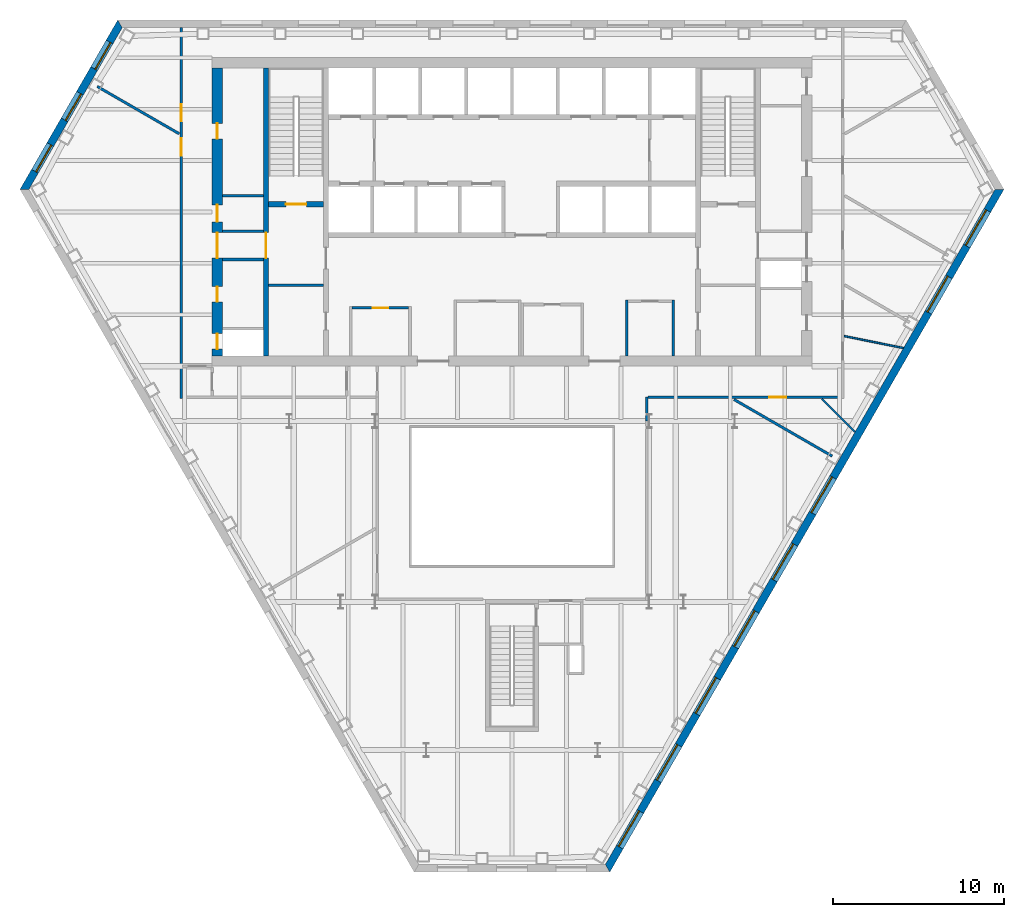
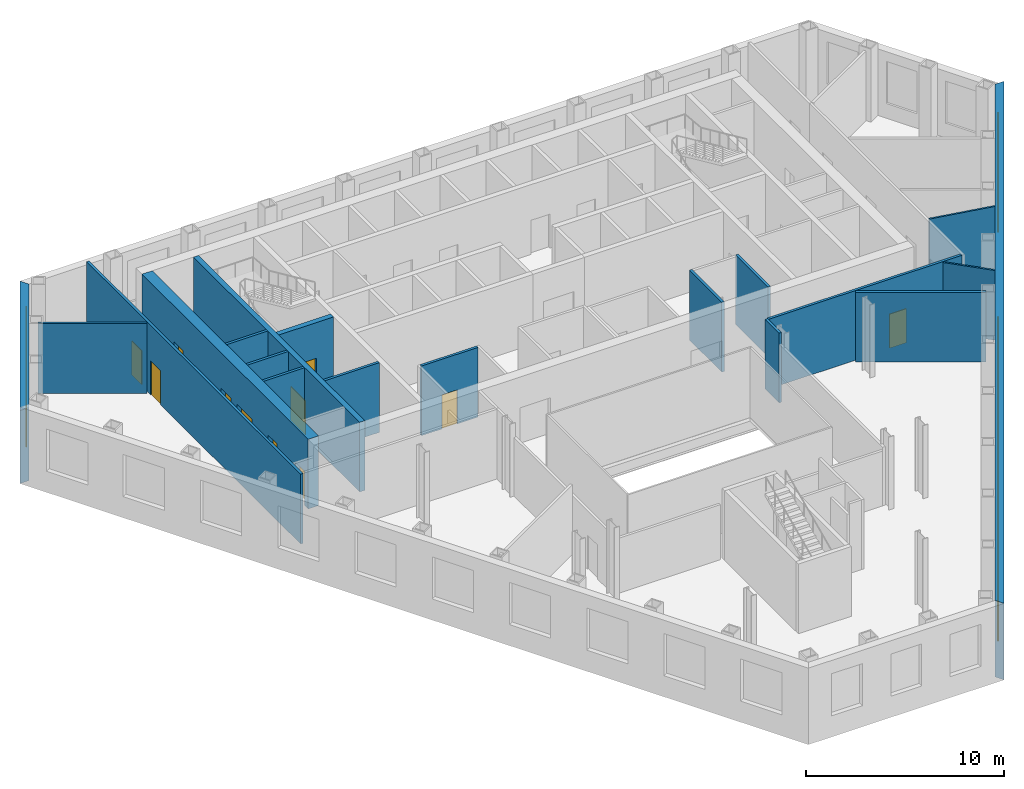
# One storey, part 5 of 10: 19 walls, 11 doors, 11 windows, 22 openings.
"""IFC4 building model written with IfcOpenShell, lengths in metres."""

from ifc_helpers import new_model, si_unit, direction, frame, frame_2d, origin, place, context, subcontext, project, spatial, polyline, rectangle, outline, extrude, material, layer, layer_set, type_object, element, fill, save


model = new_model("IFC4")

# Units and contexts
model_context = context("Model", 3, precision=1e-05, world=origin(), true_north=direction((0.0, 1.0)))
body_context = subcontext(model_context, "Body", "Model", "MODEL_VIEW")
ifc_project = project(units=[si_unit("LENGTHUNIT", "METRE"), si_unit("AREAUNIT", "SQUARE_METRE"), si_unit("VOLUMEUNIT", "CUBIC_METRE"), si_unit("PLANEANGLEUNIT", "RADIAN"), si_unit("MASSUNIT", "GRAM", prefix="KILO")], contexts=[model_context])

# Site, building, storey
site_placement = place(None, origin())
site = spatial("IfcSite", under=ifc_project, at=site_placement, CompositionType="ELEMENT")
building_placement = place(site_placement, origin())
building = spatial("IfcBuilding", under=site, at=building_placement, Name="Njiva Tower", CompositionType="ELEMENT")
storey_placement = place(building_placement, frame((0.0, 0.0, 55.8)))
storey = spatial("IfcBuildingStorey", under=building, at=storey_placement, Name="L11", CompositionType="ELEMENT", Elevation=55.8)

# Walls
ifc_material_1 = material(Name="Blockwork", Category="masonry")
ifc_layer_1 = layer(ifc_material_1, 0.15)
ifc_layer_set_1 = layer_set([ifc_layer_1], Name="Blockwork")
wall_type_1 = type_object("IfcWallType", Name="WT1 Compartment partition 150", PredefinedType="PARTITIONING", material=ifc_layer_set_1)
wall_1_placement = place(storey_placement, frame((-14.2, 4.725, 0.0), z_axis=(0.0, 0.0, 1.0), x_axis=(1.0, 0.0, 0.0)))
element("IfcWall", 1, at=wall_1_placement, inside=storey, type_object=wall_type_1, Name="Room wall A", PredefinedType="PARTITIONING", context=body_context, shape_type="SweptSolid", body=[
    extrude(rectangle(XDim=3.2, YDim=0.15, at=frame_2d((1.6, 0.0))), origin(), (0.0, 0.0, 1.0), 4.3),
])
wall_2_placement = place(storey_placement, frame((-16.9, 9.9575, 0.0), z_axis=(0.0, 0.0, 1.0), x_axis=(1.0, 0.0, 0.0)))
element("IfcWall", 2, at=wall_2_placement, inside=storey, type_object=wall_type_1, Name="Partition strip W10", PredefinedType="PARTITIONING", context=body_context, shape_type="SweptSolid", body=[
    extrude(rectangle(XDim=2.4, YDim=0.15, at=frame_2d((1.2, 0.0))), origin(), (0.0, 0.0, 1.0), 4.3),
])

# Wall, opening, door
wall_3_placement = place(storey_placement, frame((-9.325, 3.4, 0.0), z_axis=(0.0, 0.0, 1.0), x_axis=(1.0, 0.0, 0.0)))
wall_3 = element("IfcWall", 3, at=wall_3_placement, inside=storey, type_object=wall_type_1, Name="Waiting room wall north", PredefinedType="PARTITIONING", context=body_context, shape_type="SweptSolid", body=[
    extrude(rectangle(XDim=3.3, YDim=0.15, at=frame_2d((1.65, 0.0))), origin(), (0.0, 0.0, 1.0), 4.3),
])
opening_1_placement = place(wall_3_placement, frame((1.2, 0.0, 0.0)))
opening_1 = element("IfcOpeningElement", 4, at=opening_1_placement, cuts=wall_3, Name="Opening S03-D932", PredefinedType="OPENING", context=body_context, shape_type="SweptSolid", body=[
    extrude(rectangle(XDim=0.9, YDim=2.1, at=frame_2d((0.45, 1.05))), frame((0.0, 0.085, 0.0), z_axis=(0.0, -1.0, 0.0), x_axis=(1.0, 0.0, 0.0)), (0.0, 0.0, 1.0), 0.17),
])
ifc_material_2 = material(Name="Steel fire door, painted", Category="steel")
door_type_1 = type_object("IfcDoorType", Name="D6 Fire-rated door 900x2100", OperationType="SINGLE_SWING_LEFT", PredefinedType="DOOR", material=ifc_material_2)
door_1_placement = place(opening_1_placement, origin())
door_1 = element("IfcDoor", 5, at=door_1_placement, inside=storey, type_object=door_type_1, Name="Waiting room door", OperationType="SINGLE_SWING_RIGHT", OverallHeight=2.1, OverallWidth=0.9, PredefinedType="DOOR", context=body_context, shape_type="SweptSolid", body=[
    extrude(rectangle(XDim=0.9, YDim=2.1, at=frame_2d((0.45, 1.05))), frame((0.0, 0.025, 0.0), z_axis=(0.0, -1.0, 0.0), x_axis=(1.0, 0.0, 0.0)), (0.0, 0.0, 1.0), 0.05),
])
fill(opening_1, door_1)

# Walls
for number, where, z_axis, x_axis, name in (
    (6, (6.7, 0.6, 0.0), (0.0, 0.0, 1.0), (0.0, 1.0, 0.0), "Security office wall west"),
    (7, (9.4, 0.6, 0.0), (0.0, 0.0, 1.0), (0.0, 1.0, 0.0), "Security office wall east"),
):
    element("IfcWall", number, at=place(storey_placement, frame(where, z_axis=z_axis, x_axis=x_axis)), inside=storey, type_object=wall_type_1, Name=name, PredefinedType="PARTITIONING", context=body_context, shape_type="SweptSolid", body=[
        extrude(rectangle(XDim=3.275, YDim=0.15, at=frame_2d((1.6375, 0.0))), origin(), (0.0, 0.0, 1.0), 4.3),
    ])

# Wall, opening, door
ifc_material_3 = material(Name="Concrete C40/50", Category="concrete")
ifc_layer_2 = layer(ifc_material_3, 0.3)
ifc_layer_set_2 = layer_set([ifc_layer_2], Name="Concrete C40/50")
wall_type_2 = type_object("IfcWallType", Name="WT10 Stair enclosure wall 300", PredefinedType="SHEAR", material=ifc_layer_set_2)
wall_4_placement = place(storey_placement, frame((-14.35, 0.6, 0.0), z_axis=(0.0, 0.0, 1.0), x_axis=(0.0, 1.0, 0.0)))
wall_4 = element("IfcWall", 8, at=wall_4_placement, inside=storey, type_object=wall_type_2, Name="Stair wall west outer", PredefinedType="SHEAR", context=body_context, shape_type="SweptSolid", body=[
    extrude(rectangle(XDim=16.8, YDim=0.3, at=frame_2d((8.4, 0.0))), origin(), (0.0, 0.0, 1.0), 4.3),
])
opening_2_placement = place(wall_4_placement, frame((5.7, 0.0, 0.0)))
opening_2 = element("IfcOpeningElement", 9, at=opening_2_placement, cuts=wall_4, Name="Opening S03-D920", PredefinedType="OPENING", context=body_context, shape_type="SweptSolid", body=[
    extrude(rectangle(XDim=1.5, YDim=2.1, at=frame_2d((0.75, 1.05))), frame((0.0, 0.16, 0.0), z_axis=(0.0, -1.0, 0.0), x_axis=(1.0, 0.0, 0.0)), (0.0, 0.0, 1.0), 0.32),
])
ifc_material_4 = material(Name="Glazed steel fire door", Category="steel")
door_type_2 = type_object("IfcDoorType", Name="D10 Exit door double 1500x2100 glazed", OperationType="DOUBLE_DOOR_SINGLE_SWING", PredefinedType="DOOR", material=ifc_material_4)
door_2_placement = place(opening_2_placement, origin())
door_2 = element("IfcDoor", 10, at=door_2_placement, inside=storey, type_object=door_type_2, Name="Stair A passage door", OperationType="DOUBLE_DOOR_SINGLE_SWING", OverallHeight=2.1, OverallWidth=1.5, PredefinedType="DOOR", context=body_context, shape_type="SweptSolid", body=[
    extrude(rectangle(XDim=1.5, YDim=2.1, at=frame_2d((0.75, 1.05))), frame((0.0, 0.025, 0.0), z_axis=(0.0, -1.0, 0.0), x_axis=(1.0, 0.0, 0.0)), (0.0, 0.0, 1.0), 0.05),
])
fill(opening_2, door_2)

wall_5_placement = place(storey_placement, frame((-14.2, 9.45, 0.0), z_axis=(0.0, 0.0, 1.0), x_axis=(1.0, 0.0, 0.0)))
wall_5 = element("IfcWall", 11, at=wall_5_placement, inside=storey, type_object=wall_type_2, Name="Stair A south wall", PredefinedType="SHEAR", context=body_context, shape_type="SweptSolid", body=[
    extrude(rectangle(XDim=3.2, YDim=0.3, at=frame_2d((1.6, 0.0))), origin(), (0.0, 0.0, 1.0), 4.3),
])
opening_3_placement = place(wall_5_placement, frame((1.0, 0.0, 0.0)))
opening_3 = element("IfcOpeningElement", 12, at=opening_3_placement, cuts=wall_5, Name="Opening S03-D913", PredefinedType="OPENING", context=body_context, shape_type="SweptSolid", body=[
    extrude(rectangle(XDim=1.2, YDim=2.1, at=frame_2d((0.6, 1.05))), frame((0.0, 0.16, 0.0), z_axis=(0.0, -1.0, 0.0), x_axis=(1.0, 0.0, 0.0)), (0.0, 0.0, 1.0), 0.32),
])
door_type_3 = type_object("IfcDoorType", Name="D7 Stair vestibule door 1200x2100 glazed", OperationType="SINGLE_SWING_LEFT", PredefinedType="DOOR", material=ifc_material_4)
door_3_placement = place(opening_3_placement, origin())
door_3 = element("IfcDoor", 13, at=door_3_placement, inside=storey, type_object=door_type_3, Name="Stair A door", OperationType="SINGLE_SWING_LEFT", OverallHeight=2.1, OverallWidth=1.2, PredefinedType="DOOR", context=body_context, shape_type="SweptSolid", body=[
    extrude(rectangle(XDim=1.2, YDim=2.1, at=frame_2d((0.6, 1.05))), frame((0.0, 0.025, 0.0), z_axis=(0.0, -1.0, 0.0), x_axis=(1.0, 0.0, 0.0)), (0.0, 0.0, 1.0), 0.05),
])
fill(opening_3, door_3)

# Wall, openings, doors
ifc_material_5 = material(Name="Concrete C60/75", Category="concrete")
ifc_layer_3 = layer(ifc_material_5, 0.6)
ifc_layer_set_3 = layer_set([ifc_layer_3], Name="Concrete C60/75")
wall_type_3 = type_object("IfcWallType", Name="WT15 Core wall 600", PredefinedType="SHEAR", material=ifc_layer_set_3)
wall_6_placement = place(storey_placement, frame((-17.2, 0.6, 0.0), z_axis=(0.0, 0.0, 1.0), x_axis=(0.0, 1.0, 0.0)))
wall_6 = element("IfcWall", 14, at=wall_6_placement, inside=storey, type_object=wall_type_3, Name="Core wall west", PredefinedType="SHEAR", context=body_context, shape_type="SweptSolid", body=[
    extrude(rectangle(XDim=16.8, YDim=0.6, at=frame_2d((8.4, 0.0))), origin(), (0.0, 0.0, 1.0), 4.3),
])
opening_4_placement = place(wall_6_placement, frame((5.7, 0.0, 0.0)))
opening_4 = element("IfcOpeningElement", 15, at=opening_4_placement, cuts=wall_6, Name="Opening S03-D921", PredefinedType="OPENING", context=body_context, shape_type="SweptSolid", body=[
    extrude(rectangle(XDim=1.5, YDim=2.1, at=frame_2d((0.75, 1.05))), frame((0.0, 0.31, 0.0), z_axis=(0.0, -1.0, 0.0), x_axis=(1.0, 0.0, 0.0)), (0.0, 0.0, 1.0), 0.62),
])
opening_5_placement = place(wall_6_placement, frame((0.4, 0.0, 0.0)))
opening_5 = element("IfcOpeningElement", 16, at=opening_5_placement, cuts=wall_6, Name="Opening S03-D922", PredefinedType="OPENING", context=body_context, shape_type="SweptSolid", body=[
    extrude(rectangle(XDim=0.9, YDim=2.1, at=frame_2d((0.45, 1.05))), frame((0.0, 0.31, 0.0), z_axis=(0.0, -1.0, 0.0), x_axis=(1.0, 0.0, 0.0)), (0.0, 0.0, 1.0), 0.62),
])
opening_6_placement = place(wall_6_placement, frame((3.15, 0.0, 0.0)))
opening_6 = element("IfcOpeningElement", 17, at=opening_6_placement, cuts=wall_6, Name="Opening S03-D923", PredefinedType="OPENING", context=body_context, shape_type="SweptSolid", body=[
    extrude(rectangle(XDim=0.9, YDim=2.1, at=frame_2d((0.45, 1.05))), frame((0.0, 0.31, 0.0), z_axis=(0.0, -1.0, 0.0), x_axis=(1.0, 0.0, 0.0)), (0.0, 0.0, 1.0), 0.62),
])
opening_7_placement = place(wall_6_placement, frame((7.8162, 0.0, 0.0)))
opening_7 = element("IfcOpeningElement", 18, at=opening_7_placement, cuts=wall_6, Name="Opening S03-D924", PredefinedType="OPENING", context=body_context, shape_type="SweptSolid", body=[
    extrude(rectangle(XDim=1.0, YDim=2.1, at=frame_2d((0.5, 1.05))), frame((0.0, 0.31, 0.0), z_axis=(0.0, -1.0, 0.0), x_axis=(1.0, 0.0, 0.0)), (0.0, 0.0, 1.0), 0.62),
])
opening_8_placement = place(wall_6_placement, frame((12.6662, 0.0, 0.0)))
opening_8 = element("IfcOpeningElement", 19, at=opening_8_placement, cuts=wall_6, Name="Opening S03-D925", PredefinedType="OPENING", context=body_context, shape_type="SweptSolid", body=[
    extrude(rectangle(XDim=0.9, YDim=2.1, at=frame_2d((0.45, 1.05))), frame((0.0, 0.31, 0.0), z_axis=(0.0, -1.0, 0.0), x_axis=(1.0, 0.0, 0.0)), (0.0, 0.0, 1.0), 0.62),
])
door_4_placement = place(opening_4_placement, origin())
door_4 = element("IfcDoor", 20, at=door_4_placement, inside=storey, type_object=door_type_2, Name="Stair A corridor door", OperationType="DOUBLE_DOOR_SINGLE_SWING", OverallHeight=2.1, OverallWidth=1.5, PredefinedType="DOOR", context=body_context, shape_type="SweptSolid", body=[
    extrude(rectangle(XDim=1.5, YDim=2.1, at=frame_2d((0.75, 1.05))), frame((0.0, 0.025, 0.0), z_axis=(0.0, -1.0, 0.0), x_axis=(1.0, 0.0, 0.0)), (0.0, 0.0, 1.0), 0.05),
])
fill(opening_4, door_4)
ifc_material_6 = material(Name="Steel door, painted", Category="steel")
door_type_4 = type_object("IfcDoorType", Name="D4 Riser door 900x2100", OperationType="SINGLE_SWING_LEFT", PredefinedType="DOOR", material=ifc_material_6)
door_5_placement = place(opening_5_placement, origin())
door_5 = element("IfcDoor", 21, at=door_5_placement, inside=storey, type_object=door_type_4, Name="Riser door", OperationType="SINGLE_SWING_RIGHT", OverallHeight=2.1, OverallWidth=0.9, PredefinedType="DOOR", context=body_context, shape_type="SweptSolid", body=[
    extrude(rectangle(XDim=0.9, YDim=2.1, at=frame_2d((0.45, 1.05))), frame((0.0, 0.025, 0.0), z_axis=(0.0, -1.0, 0.0), x_axis=(1.0, 0.0, 0.0)), (0.0, 0.0, 1.0), 0.05),
])
fill(opening_5, door_5)
door_type_5 = type_object("IfcDoorType", Name="D5 Steel door 1000x2100", OperationType="SINGLE_SWING_LEFT", PredefinedType="DOOR", material=ifc_material_6)
door_6_placement = place(opening_7_placement, origin())
door_6 = element("IfcDoor", 22, at=door_6_placement, inside=storey, type_object=door_type_5, Name="Electrical room door", OperationType="SINGLE_SWING_LEFT", OverallHeight=2.1, OverallWidth=1.0, PredefinedType="DOOR", context=body_context, shape_type="SweptSolid", body=[
    extrude(rectangle(XDim=1.0, YDim=2.1, at=frame_2d((0.5, 1.05))), frame((0.0, 0.025, 0.0), z_axis=(0.0, -1.0, 0.0), x_axis=(1.0, 0.0, 0.0)), (0.0, 0.0, 1.0), 0.05),
])
fill(opening_7, door_6)
door_7_placement = place(opening_6_placement, origin())
door_7 = element("IfcDoor", 23, at=door_7_placement, inside=storey, type_object=door_type_1, Name="First aid room door", OperationType="SINGLE_SWING_LEFT", OverallHeight=2.1, OverallWidth=0.9, PredefinedType="DOOR", context=body_context, shape_type="SweptSolid", body=[
    extrude(rectangle(XDim=0.9, YDim=2.1, at=frame_2d((0.45, 1.05))), frame((0.0, 0.025, 0.0), z_axis=(0.0, -1.0, 0.0), x_axis=(1.0, 0.0, 0.0)), (0.0, 0.0, 1.0), 0.05),
])
fill(opening_6, door_7)
door_8_placement = place(opening_8_placement, origin())
door_8 = element("IfcDoor", 24, at=door_8_placement, inside=storey, type_object=door_type_1, Name="Breakout room door", OperationType="SINGLE_SWING_RIGHT", OverallHeight=2.1, OverallWidth=0.9, PredefinedType="DOOR", context=body_context, shape_type="SweptSolid", body=[
    extrude(rectangle(XDim=0.9, YDim=2.1, at=frame_2d((0.45, 1.05))), frame((0.0, 0.025, 0.0), z_axis=(0.0, -1.0, 0.0), x_axis=(1.0, 0.0, 0.0)), (0.0, 0.0, 1.0), 0.05),
])
fill(opening_8, door_8)

# Walls
ifc_material_7 = material(Name="Gypsum board on steel studs", Category="gypsum")
ifc_layer_4 = layer(ifc_material_7, 0.1)
ifc_layer_set_4 = layer_set([ifc_layer_4], Name="Gypsum board on steel studs")
wall_type_4 = type_object("IfcWallType", Name="WT20 Gypsum partition 100", PredefinedType="PARTITIONING", material=ifc_layer_set_4)
wall_7_placement = place(storey_placement, frame((18.088, -1.91, 0.0), z_axis=(0.0, 0.0, 1.0), x_axis=(0.707106781187, -0.707106781187, 0.0)))
element("IfcWall", 25, at=wall_7_placement, inside=storey, type_object=wall_type_4, Name="Partition S03-P015", PredefinedType="PARTITIONING", context=body_context, shape_type="SweptSolid", body=[
    extrude(rectangle(XDim=2.7224, YDim=0.1, at=frame_2d((1.3612, 0.0))), origin(), (0.0, 0.0, 1.0), 4.3),
])
wall_8_placement = place(storey_placement, frame((19.385, 1.757, 0.0), z_axis=(0.0, 0.0, 1.0), x_axis=(0.980240840704, -0.197807720316, 0.0)))
element("IfcWall", 26, at=wall_8_placement, inside=storey, type_object=wall_type_4, Name="Partition S03-P018", PredefinedType="PARTITIONING", context=body_context, shape_type="SweptSolid", body=[
    extrude(rectangle(XDim=3.5236, YDim=0.1, at=frame_2d((1.7618, 0.0))), origin(), (0.0, 0.0, 1.0), 4.3),
])
ifc_layer_5 = layer(ifc_material_7, 0.15)
ifc_layer_set_5 = layer_set([ifc_layer_5], Name="Gypsum board on steel studs")
wall_type_5 = type_object("IfcWallType", Name="WT21 Compartment wall 150", PredefinedType="PARTITIONING", material=ifc_layer_set_5)
wall_9_placement = place(storey_placement, frame((-24.199, 16.323, 0.0), z_axis=(0.0, 0.0, 1.0), x_axis=(0.866086170813, -0.499894733645, 0.0)))
element("IfcWall", 27, at=wall_9_placement, inside=storey, type_object=wall_type_5, Name="Partition S03-P001", PredefinedType="PARTITIONING", context=body_context, shape_type="SweptSolid", body=[
    extrude(rectangle(XDim=5.5272, YDim=0.15, at=frame_2d((2.7636, 0.0))), origin(), (0.0, 0.0, 1.0), 4.3),
])

# Wall, openings, doors
wall_10_placement = place(storey_placement, frame((-19.3, -1.875, 0.0), z_axis=(0.0, 0.0, 1.0), x_axis=(0.0, 1.0, 0.0)))
wall_10 = element("IfcWall", 28, at=wall_10_placement, inside=storey, type_object=wall_type_5, Name="Partition S03-P002", PredefinedType="PARTITIONING", context=body_context, shape_type="SweptSolid", body=[
    extrude(rectangle(XDim=21.624, YDim=0.15, at=frame_2d((10.812, 0.0))), origin(), (0.0, 0.0, 1.0), 4.3),
])
opening_9_placement = place(wall_10_placement, frame((14.166, 0.0, 0.0)))
opening_9 = element("IfcOpeningElement", 29, at=opening_9_placement, cuts=wall_10, Name="Opening S03-D001", PredefinedType="OPENING", context=body_context, shape_type="SweptSolid", body=[
    extrude(rectangle(XDim=1.0, YDim=2.1, at=frame_2d((0.5, 1.05))), frame((0.0, 0.085, 0.0), z_axis=(0.0, -1.0, 0.0), x_axis=(1.0, 0.0, 0.0)), (0.0, 0.0, 1.0), 0.17),
])
opening_10_placement = place(wall_10_placement, frame((16.17, 0.0, 0.0)))
opening_10 = element("IfcOpeningElement", 30, at=opening_10_placement, cuts=wall_10, Name="Opening S03-D002", PredefinedType="OPENING", context=body_context, shape_type="SweptSolid", body=[
    extrude(rectangle(XDim=1.0, YDim=2.1, at=frame_2d((0.5, 1.05))), frame((0.0, 0.085, 0.0), z_axis=(0.0, -1.0, 0.0), x_axis=(1.0, 0.0, 0.0)), (0.0, 0.0, 1.0), 0.17),
])
ifc_material_8 = material(Name="Steel fire door set", Category="steel")
door_type_6 = type_object("IfcDoorType", Name="D37 Fire door 1000x2100", OperationType="SINGLE_SWING_LEFT", PredefinedType="DOOR", material=ifc_material_8)
door_9_placement = place(opening_9_placement, origin())
door_9 = element("IfcDoor", 31, at=door_9_placement, inside=storey, type_object=door_type_6, Name="Door S03-D001", OperationType="SINGLE_SWING_LEFT", OverallHeight=2.1, OverallWidth=1.0, PredefinedType="DOOR", context=body_context, shape_type="SweptSolid", body=[
    extrude(rectangle(XDim=1.0, YDim=2.1, at=frame_2d((0.5, 1.05))), frame((0.0, 0.025, 0.0), z_axis=(0.0, -1.0, 0.0), x_axis=(1.0, 0.0, 0.0)), (0.0, 0.0, 1.0), 0.05),
])
fill(opening_9, door_9)
door_10_placement = place(opening_10_placement, origin())
door_10 = element("IfcDoor", 32, at=door_10_placement, inside=storey, type_object=door_type_6, Name="Door S03-D002", OperationType="SINGLE_SWING_LEFT", OverallHeight=2.1, OverallWidth=1.0, PredefinedType="DOOR", context=body_context, shape_type="SweptSolid", body=[
    extrude(rectangle(XDim=1.0, YDim=2.1, at=frame_2d((0.5, 1.05))), frame((0.0, 0.025, 0.0), z_axis=(0.0, -1.0, 0.0), x_axis=(1.0, 0.0, 0.0)), (0.0, 0.0, 1.0), 0.05),
])
fill(opening_10, door_10)

# Wall
wall_11_placement = place(storey_placement, frame((7.85, -3.2, 0.0), z_axis=(0.0, 0.0, 1.0), x_axis=(0.0, 1.0, 0.0)))
element("IfcWall", 33, at=wall_11_placement, inside=storey, type_object=wall_type_5, Name="Partition S03-P012A", PredefinedType="PARTITIONING", context=body_context, shape_type="SweptSolid", body=[
    extrude(rectangle(XDim=1.412, YDim=0.15, at=frame_2d((0.706, 0.0))), origin(), (0.0, 0.0, 1.0), 4.3),
])

# Wall, opening, door
wall_12_placement = place(storey_placement, frame((7.925, -1.8, 0.0), z_axis=(0.0, 0.0, 1.0), x_axis=(1.0, 0.0, 0.0)))
wall_12 = element("IfcWall", 34, at=wall_12_placement, inside=storey, type_object=wall_type_5, Name="Partition S03-P013", PredefinedType="PARTITIONING", context=body_context, shape_type="SweptSolid", body=[
    extrude(rectangle(XDim=11.3, YDim=0.15, at=frame_2d((5.65, 0.0))), origin(), (0.0, 0.0, 1.0), 4.3),
])
opening_11_placement = place(wall_12_placement, frame((7.087, 0.0, 0.0)))
opening_11 = element("IfcOpeningElement", 35, at=opening_11_placement, cuts=wall_12, Name="Opening S03-D008", PredefinedType="OPENING", context=body_context, shape_type="SweptSolid", body=[
    extrude(rectangle(XDim=1.0, YDim=2.1, at=frame_2d((0.5, 1.05))), frame((0.0, 0.085, 0.0), z_axis=(0.0, -1.0, 0.0), x_axis=(1.0, 0.0, 0.0)), (0.0, 0.0, 1.0), 0.17),
])
door_11_placement = place(opening_11_placement, origin())
door_11 = element("IfcDoor", 36, at=door_11_placement, inside=storey, type_object=door_type_6, Name="Door S03-D008", OperationType="SINGLE_SWING_RIGHT", OverallHeight=2.1, OverallWidth=1.0, PredefinedType="DOOR", context=body_context, shape_type="SweptSolid", body=[
    extrude(rectangle(XDim=1.0, YDim=2.1, at=frame_2d((0.5, 1.05))), frame((0.0, 0.025, 0.0), z_axis=(0.0, -1.0, 0.0), x_axis=(1.0, 0.0, 0.0)), (0.0, 0.0, 1.0), 0.05),
])
fill(opening_11, door_11)

# Walls
wall_13_placement = place(storey_placement, frame((12.953, -1.94, 0.0), z_axis=(0.0, 0.0, 1.0), x_axis=(0.86605716012, -0.499944992379, 0.0)))
element("IfcWall", 37, at=wall_13_placement, inside=storey, type_object=wall_type_5, Name="Partition S03-P014", PredefinedType="PARTITIONING", context=body_context, shape_type="SweptSolid", body=[
    extrude(rectangle(XDim=6.6127, YDim=0.15, at=frame_2d((3.3064, 0.0))), origin(), (0.0, 0.0, 1.0), 4.3),
])
ifc_layer_6 = layer(ifc_material_1, 0.15)
ifc_layer_set_6 = layer_set([ifc_layer_6], Name="Blockwork")
wall_type_6 = type_object("IfcWallType", Name="WT4 Stair partition 150", PredefinedType="PARTITIONING", material=ifc_layer_set_6)
for number, where, z_axis, x_axis, name in (
    (38, (-16.9, 6.225, 0.0), (0.0, 0.0, 1.0), (1.0, 0.0, 0.0), "Stair A exit passage wall south"),
    (39, (-16.9, 7.875, 0.0), (0.0, 0.0, 1.0), (1.0, 0.0, 0.0), "Stair A exit passage wall north"),
):
    element("IfcWall", number, at=place(storey_placement, frame(where, z_axis=z_axis, x_axis=x_axis)), inside=storey, type_object=wall_type_6, Name=name, PredefinedType="PARTITIONING", context=body_context, shape_type="SweptSolid", body=[
        extrude(rectangle(XDim=2.4, YDim=0.15, at=frame_2d((1.2, 0.0))), origin(), (0.0, 0.0, 1.0), 4.3),
    ])

# Wall, openings, windows
ifc_material_9 = material(Name="Brick masonry", Category="masonry")
ifc_layer_7 = layer(ifc_material_9, 0.45)
ifc_layer_set_7 = layer_set([ifc_layer_7], Name="Brick masonry")
wall_type_7 = type_object("IfcWallType", Name="WT90 Brick pier and spandrel wall 450", PredefinedType="SOLIDWALL", material=ifc_layer_set_7)
wall_14_placement = place(storey_placement, frame((5.5751, -29.2935, -0.4), z_axis=(0.0, 0.0, 1.0), x_axis=(0.499999764979, 0.866025539474, 0.0)))
wall_14 = element("IfcWall", 40, at=wall_14_placement, inside=storey, type_object=wall_type_7, Name="Facade wall SE", PredefinedType="SOLIDWALL", context=body_context, shape_type="SweptSolid", body=[
    extrude(outline(polyline([(-0.1299, -0.225), (45.8701, -0.225), (45.6103, 0.225), (0.1299, 0.225), (-0.1299, -0.225)])), origin(), (0.0, 0.0, 1.0), 4.72),
])
opening_12_placement = place(wall_14_placement, frame((1.4242, 0.0, 1.3)))
opening_12 = element("IfcOpeningElement", 41, at=opening_12_placement, cuts=wall_14, Name="Opening S03-W25", PredefinedType="OPENING", context=body_context, shape_type="SweptSolid", body=[
    extrude(rectangle(XDim=2.4, YDim=2.6, at=frame_2d((1.2, 1.3))), frame((0.0, 0.235, 0.0), z_axis=(0.0, -1.0, 0.0), x_axis=(1.0, 0.0, 0.0)), (0.0, 0.0, 1.0), 0.47),
])
opening_13_placement = place(wall_14_placement, frame((5.8934, 0.0, 1.3)))
opening_13 = element("IfcOpeningElement", 42, at=opening_13_placement, cuts=wall_14, Name="Opening S03-W26", PredefinedType="OPENING", context=body_context, shape_type="SweptSolid", body=[
    extrude(rectangle(XDim=2.4, YDim=2.6, at=frame_2d((1.2, 1.3))), frame((0.0, 0.235, 0.0), z_axis=(0.0, -1.0, 0.0), x_axis=(1.0, 0.0, 0.0)), (0.0, 0.0, 1.0), 0.47),
])
opening_14_placement = place(wall_14_placement, frame((10.401, 0.0, 1.3)))
opening_14 = element("IfcOpeningElement", 43, at=opening_14_placement, cuts=wall_14, Name="Opening S03-W27", PredefinedType="OPENING", context=body_context, shape_type="SweptSolid", body=[
    extrude(rectangle(XDim=2.4, YDim=2.6, at=frame_2d((1.2, 1.3))), frame((0.0, 0.235, 0.0), z_axis=(0.0, -1.0, 0.0), x_axis=(1.0, 0.0, 0.0)), (0.0, 0.0, 1.0), 0.47),
])
opening_15_placement = place(wall_14_placement, frame((14.9087, 0.0, 1.3)))
opening_15 = element("IfcOpeningElement", 44, at=opening_15_placement, cuts=wall_14, Name="Opening S03-W28", PredefinedType="OPENING", context=body_context, shape_type="SweptSolid", body=[
    extrude(rectangle(XDim=2.4, YDim=2.6, at=frame_2d((1.2, 1.3))), frame((0.0, 0.235, 0.0), z_axis=(0.0, -1.0, 0.0), x_axis=(1.0, 0.0, 0.0)), (0.0, 0.0, 1.0), 0.47),
])
opening_16_placement = place(wall_14_placement, frame((19.4163, 0.0, 1.3)))
opening_16 = element("IfcOpeningElement", 45, at=opening_16_placement, cuts=wall_14, Name="Opening S03-W29", PredefinedType="OPENING", context=body_context, shape_type="SweptSolid", body=[
    extrude(rectangle(XDim=2.4, YDim=2.6, at=frame_2d((1.2, 1.3))), frame((0.0, 0.235, 0.0), z_axis=(0.0, -1.0, 0.0), x_axis=(1.0, 0.0, 0.0)), (0.0, 0.0, 1.0), 0.47),
])
opening_17_placement = place(wall_14_placement, frame((23.9239, 0.0, 1.3)))
opening_17 = element("IfcOpeningElement", 46, at=opening_17_placement, cuts=wall_14, Name="Opening S03-W30", PredefinedType="OPENING", context=body_context, shape_type="SweptSolid", body=[
    extrude(rectangle(XDim=2.4, YDim=2.6, at=frame_2d((1.2, 1.3))), frame((0.0, 0.235, 0.0), z_axis=(0.0, -1.0, 0.0), x_axis=(1.0, 0.0, 0.0)), (0.0, 0.0, 1.0), 0.47),
])
opening_18_placement = place(wall_14_placement, frame((37.4468, 0.0, 1.3)))
opening_18 = element("IfcOpeningElement", 47, at=opening_18_placement, cuts=wall_14, Name="Opening S03-W31", PredefinedType="OPENING", context=body_context, shape_type="SweptSolid", body=[
    extrude(rectangle(XDim=2.4, YDim=2.6, at=frame_2d((1.2, 1.3))), frame((0.0, 0.235, 0.0), z_axis=(0.0, -1.0, 0.0), x_axis=(1.0, 0.0, 0.0)), (0.0, 0.0, 1.0), 0.47),
])
opening_19_placement = place(wall_14_placement, frame((41.916, 0.0, 1.3)))
opening_19 = element("IfcOpeningElement", 48, at=opening_19_placement, cuts=wall_14, Name="Opening S03-W32", PredefinedType="OPENING", context=body_context, shape_type="SweptSolid", body=[
    extrude(rectangle(XDim=2.4, YDim=2.6, at=frame_2d((1.2, 1.3))), frame((0.0, 0.235, 0.0), z_axis=(0.0, -1.0, 0.0), x_axis=(1.0, 0.0, 0.0)), (0.0, 0.0, 1.0), 0.47),
])
ifc_material_10 = material(Name="Clear glazing in aluminium frame", Category="aluminium")
window_type_1 = type_object("IfcWindowType", Name="W92 Deep-set window 2400x2600", PartitioningType="SINGLE_PANEL", PredefinedType="WINDOW", material=ifc_material_10)
window_1_placement = place(opening_12_placement, origin())
window_1 = element("IfcWindow", 49, at=window_1_placement, inside=storey, type_object=window_type_1, Name="Window", OverallHeight=2.6, OverallWidth=2.4, PartitioningType="SINGLE_PANEL", PredefinedType="WINDOW", context=body_context, shape_type="SweptSolid", body=[
    extrude(rectangle(XDim=2.4, YDim=2.6, at=frame_2d((1.2, 1.3))), frame((0.0, 0.105, 0.0), z_axis=(0.0, -1.0, 0.0), x_axis=(1.0, 0.0, 0.0)), (0.0, 0.0, 1.0), 0.06),
])
fill(opening_12, window_1)
window_2_placement = place(opening_13_placement, origin())
window_2 = element("IfcWindow", 50, at=window_2_placement, inside=storey, type_object=window_type_1, Name="Window", OverallHeight=2.6, OverallWidth=2.4, PartitioningType="SINGLE_PANEL", PredefinedType="WINDOW", context=body_context, shape_type="SweptSolid", body=[
    extrude(rectangle(XDim=2.4, YDim=2.6, at=frame_2d((1.2, 1.3))), frame((0.0, 0.105, 0.0), z_axis=(0.0, -1.0, 0.0), x_axis=(1.0, 0.0, 0.0)), (0.0, 0.0, 1.0), 0.06),
])
fill(opening_13, window_2)
window_3_placement = place(opening_14_placement, origin())
window_3 = element("IfcWindow", 51, at=window_3_placement, inside=storey, type_object=window_type_1, Name="Window", OverallHeight=2.6, OverallWidth=2.4, PartitioningType="SINGLE_PANEL", PredefinedType="WINDOW", context=body_context, shape_type="SweptSolid", body=[
    extrude(rectangle(XDim=2.4, YDim=2.6, at=frame_2d((1.2, 1.3))), frame((0.0, 0.105, 0.0), z_axis=(0.0, -1.0, 0.0), x_axis=(1.0, 0.0, 0.0)), (0.0, 0.0, 1.0), 0.06),
])
fill(opening_14, window_3)
window_4_placement = place(opening_15_placement, origin())
window_4 = element("IfcWindow", 52, at=window_4_placement, inside=storey, type_object=window_type_1, Name="Window", OverallHeight=2.6, OverallWidth=2.4, PartitioningType="SINGLE_PANEL", PredefinedType="WINDOW", context=body_context, shape_type="SweptSolid", body=[
    extrude(rectangle(XDim=2.4, YDim=2.6, at=frame_2d((1.2, 1.3))), frame((0.0, 0.105, 0.0), z_axis=(0.0, -1.0, 0.0), x_axis=(1.0, 0.0, 0.0)), (0.0, 0.0, 1.0), 0.06),
])
fill(opening_15, window_4)
window_5_placement = place(opening_16_placement, origin())
window_5 = element("IfcWindow", 53, at=window_5_placement, inside=storey, type_object=window_type_1, Name="Window", OverallHeight=2.6, OverallWidth=2.4, PartitioningType="SINGLE_PANEL", PredefinedType="WINDOW", context=body_context, shape_type="SweptSolid", body=[
    extrude(rectangle(XDim=2.4, YDim=2.6, at=frame_2d((1.2, 1.3))), frame((0.0, 0.105, 0.0), z_axis=(0.0, -1.0, 0.0), x_axis=(1.0, 0.0, 0.0)), (0.0, 0.0, 1.0), 0.06),
])
fill(opening_16, window_5)
window_6_placement = place(opening_17_placement, origin())
window_6 = element("IfcWindow", 54, at=window_6_placement, inside=storey, type_object=window_type_1, Name="Window", OverallHeight=2.6, OverallWidth=2.4, PartitioningType="SINGLE_PANEL", PredefinedType="WINDOW", context=body_context, shape_type="SweptSolid", body=[
    extrude(rectangle(XDim=2.4, YDim=2.6, at=frame_2d((1.2, 1.3))), frame((0.0, 0.105, 0.0), z_axis=(0.0, -1.0, 0.0), x_axis=(1.0, 0.0, 0.0)), (0.0, 0.0, 1.0), 0.06),
])
fill(opening_17, window_6)
window_7_placement = place(opening_18_placement, origin())
window_7 = element("IfcWindow", 55, at=window_7_placement, inside=storey, type_object=window_type_1, Name="Window", OverallHeight=2.6, OverallWidth=2.4, PartitioningType="SINGLE_PANEL", PredefinedType="WINDOW", context=body_context, shape_type="SweptSolid", body=[
    extrude(rectangle(XDim=2.4, YDim=2.6, at=frame_2d((1.2, 1.3))), frame((0.0, 0.105, 0.0), z_axis=(0.0, -1.0, 0.0), x_axis=(1.0, 0.0, 0.0)), (0.0, 0.0, 1.0), 0.06),
])
fill(opening_18, window_7)
window_8_placement = place(opening_19_placement, origin())
window_8 = element("IfcWindow", 56, at=window_8_placement, inside=storey, type_object=window_type_1, Name="Window", OverallHeight=2.6, OverallWidth=2.4, PartitioningType="SINGLE_PANEL", PredefinedType="WINDOW", context=body_context, shape_type="SweptSolid", body=[
    extrude(rectangle(XDim=2.4, YDim=2.6, at=frame_2d((1.2, 1.3))), frame((0.0, 0.105, 0.0), z_axis=(0.0, -1.0, 0.0), x_axis=(1.0, 0.0, 0.0)), (0.0, 0.0, 1.0), 0.06),
])
fill(opening_19, window_8)

ifc_material_11 = material(Name="Brick masonry, buff", Category="masonry")
ifc_layer_8 = layer(ifc_material_11, 0.45)
ifc_layer_set_8 = layer_set([ifc_layer_8], Name="Brick masonry, buff")
wall_type_8 = type_object("IfcWallType", Name="WT94 Brick pier and spandrel wall 450, buff", PredefinedType="SOLIDWALL", material=ifc_layer_set_8)
wall_15_placement = place(storey_placement, frame((-22.8701, 19.975, -0.4), z_axis=(0.0, 0.0, 1.0), x_axis=(-0.500002192499, -0.866024137941, 0.0)))
wall_15 = element("IfcWall", 57, at=wall_15_placement, inside=storey, type_object=wall_type_8, Name="Facade wall NW", PredefinedType="SOLIDWALL", context=body_context, shape_type="SweptSolid", body=[
    extrude(outline(polyline([(-0.1299, -0.225), (11.2801, -0.225), (11.0203, 0.225), (0.1299, 0.225), (-0.1299, -0.225)])), origin(), (0.0, 0.0, 1.0), 4.5),
])
opening_20_placement = place(wall_15_placement, frame((1.2181, 0.0, 1.3)))
opening_20 = element("IfcOpeningElement", 58, at=opening_20_placement, cuts=wall_15, Name="Opening S03-W09", PredefinedType="OPENING", context=body_context, shape_type="SweptSolid", body=[
    extrude(rectangle(XDim=1.8, YDim=2.6, at=frame_2d((0.9, 1.3))), frame((0.0, 0.235, 0.0), z_axis=(0.0, -1.0, 0.0), x_axis=(1.0, 0.0, 0.0)), (0.0, 0.0, 1.0), 0.47),
])
opening_21_placement = place(wall_15_placement, frame((4.6751, 0.0, 1.3)))
opening_21 = element("IfcOpeningElement", 59, at=opening_21_placement, cuts=wall_15, Name="Opening S03-W10", PredefinedType="OPENING", context=body_context, shape_type="SweptSolid", body=[
    extrude(rectangle(XDim=1.8, YDim=2.6, at=frame_2d((0.9, 1.3))), frame((0.0, 0.235, 0.0), z_axis=(0.0, -1.0, 0.0), x_axis=(1.0, 0.0, 0.0)), (0.0, 0.0, 1.0), 0.47),
])
opening_22_placement = place(wall_15_placement, frame((8.1321, 0.0, 1.3)))
opening_22 = element("IfcOpeningElement", 60, at=opening_22_placement, cuts=wall_15, Name="Opening S03-W11", PredefinedType="OPENING", context=body_context, shape_type="SweptSolid", body=[
    extrude(rectangle(XDim=1.8, YDim=2.6, at=frame_2d((0.9, 1.3))), frame((0.0, 0.235, 0.0), z_axis=(0.0, -1.0, 0.0), x_axis=(1.0, 0.0, 0.0)), (0.0, 0.0, 1.0), 0.47),
])
window_type_2 = type_object("IfcWindowType", Name="W96 Deep-set window 1800x2600", PartitioningType="SINGLE_PANEL", PredefinedType="WINDOW", material=ifc_material_10)
window_9_placement = place(opening_20_placement, origin())
window_9 = element("IfcWindow", 61, at=window_9_placement, inside=storey, type_object=window_type_2, Name="Window", OverallHeight=2.6, OverallWidth=1.8, PartitioningType="SINGLE_PANEL", PredefinedType="WINDOW", context=body_context, shape_type="SweptSolid", body=[
    extrude(rectangle(XDim=1.8, YDim=2.6, at=frame_2d((0.9, 1.3))), frame((0.0, 0.105, 0.0), z_axis=(0.0, -1.0, 0.0), x_axis=(1.0, 0.0, 0.0)), (0.0, 0.0, 1.0), 0.06),
])
fill(opening_20, window_9)
window_10_placement = place(opening_21_placement, origin())
window_10 = element("IfcWindow", 62, at=window_10_placement, inside=storey, type_object=window_type_2, Name="Window", OverallHeight=2.6, OverallWidth=1.8, PartitioningType="SINGLE_PANEL", PredefinedType="WINDOW", context=body_context, shape_type="SweptSolid", body=[
    extrude(rectangle(XDim=1.8, YDim=2.6, at=frame_2d((0.9, 1.3))), frame((0.0, 0.105, 0.0), z_axis=(0.0, -1.0, 0.0), x_axis=(1.0, 0.0, 0.0)), (0.0, 0.0, 1.0), 0.06),
])
fill(opening_21, window_10)
window_11_placement = place(opening_22_placement, origin())
window_11 = element("IfcWindow", 63, at=window_11_placement, inside=storey, type_object=window_type_2, Name="Window", OverallHeight=2.6, OverallWidth=1.8, PartitioningType="SINGLE_PANEL", PredefinedType="WINDOW", context=body_context, shape_type="SweptSolid", body=[
    extrude(rectangle(XDim=1.8, YDim=2.6, at=frame_2d((0.9, 1.3))), frame((0.0, 0.105, 0.0), z_axis=(0.0, -1.0, 0.0), x_axis=(1.0, 0.0, 0.0)), (0.0, 0.0, 1.0), 0.06),
])
fill(opening_22, window_11)

save(model, "model.ifc")
